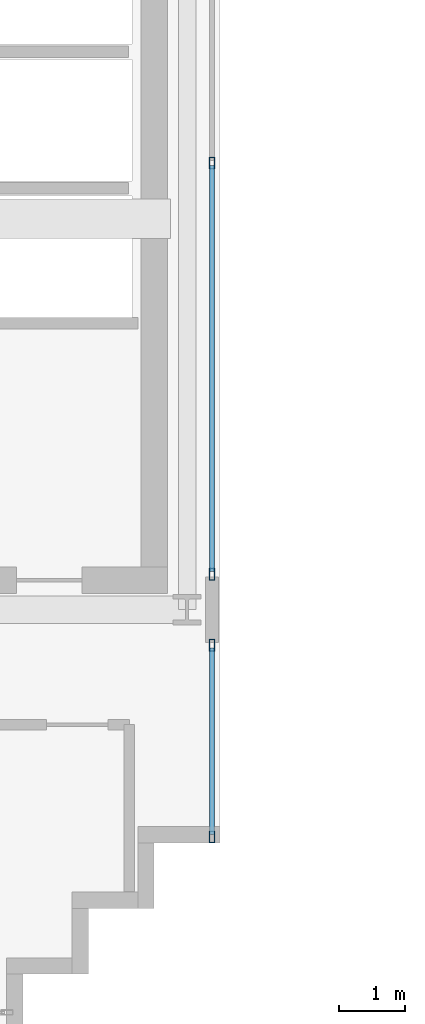
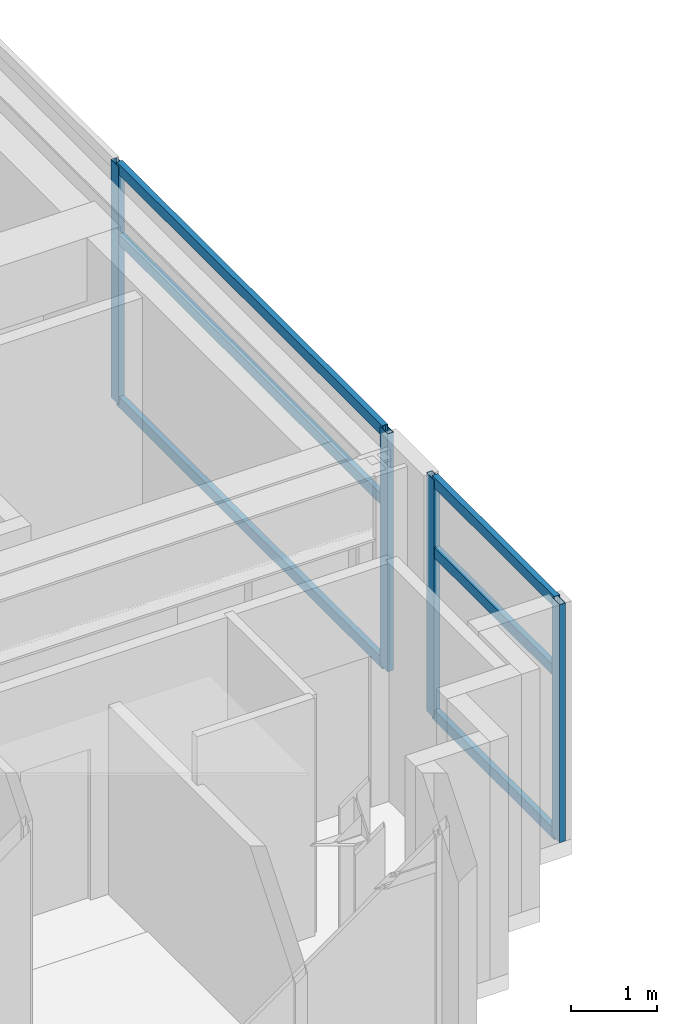
# One storey, part 4 of 25: 10 members, 2 elements without a shape of their own.
"""IFC4 building model written with IfcOpenShell, lengths in metres."""

from ifc_helpers import new_model, si_unit, direction, frame, origin, origin_2d, place, context, subcontext, project, spatial, hollow_rectangle, extrude, source, transform, mapped, material, layer, layer_set, material_profile, profile_set, type_object, element, aggregate, save


model = new_model("IFC4")

# Units and contexts
model_context = context("Model", 3, precision=1e-05, world=origin(), true_north=direction((0.0, 1.0)))
body_context = subcontext(model_context, "Body", "Model", "MODEL_VIEW")
ifc_project = project(units=[si_unit("LENGTHUNIT", "METRE"), si_unit("AREAUNIT", "SQUARE_METRE"), si_unit("VOLUMEUNIT", "CUBIC_METRE"), si_unit("PLANEANGLEUNIT", "RADIAN"), si_unit("MASSUNIT", "GRAM", prefix="KILO")], contexts=[model_context])

# Site, building, storey
site_placement = place(None, origin())
site = spatial("IfcSite", under=ifc_project, at=site_placement, CompositionType="ELEMENT")
building_placement = place(site_placement, origin())
building = spatial("IfcBuilding", under=site, at=building_placement, Name="Ocotamira Hotel", CompositionType="ELEMENT")
storey_placement = place(building_placement, frame((0.0, 0.0, 254.39990234375)))
storey = spatial("IfcBuildingStorey", under=building, at=storey_placement, Name="L64", CompositionType="ELEMENT", Elevation=254.39990234375)

# Curtain wall, members
ifc_material_1 = material(Name="Anodised pale-metal aluminium and solar glass", Category="aluminium")
ifc_layer = layer(ifc_material_1, 0.2099609375)
ifc_layer_set = layer_set([ifc_layer], Name="Anodised pale-metal aluminium and solar glass")
curtain_wall_type = type_object("IfcCurtainWallType", Name="CW-SYS7-PEAK", PredefinedType="NOTDEFINED", material=ifc_layer_set)
curtain_wall_1_placement = place(storey_placement, origin())
curtain_wall_1 = element("IfcCurtainWall", 1, at=curtain_wall_1_placement, inside=storey, type_object=curtain_wall_type, Name="L64 Curtain Wall CW-7 CW-L64-WI1", PredefinedType="NOTDEFINED")
ifc_material_2 = material(Name="Anodised pale-metal aluminium 6063-T6", Category="aluminium")
ifc_material_profile_1 = material_profile(ifc_material_2, hollow_rectangle(XDim=0.080078125, YDim=0.179931640625, WallThickness=0.006103515625, at=origin_2d()), Name="HSS180X80X6")
ifc_profile_set_1 = profile_set([ifc_material_profile_1], Name="Anodised pale-metal aluminium 6063-T6")
member_type_1 = type_object("IfcMemberType", Name="CWM-180X75", PredefinedType="MULLION", material=ifc_profile_set_1)
shared_shape_1 = source(origin(), body_context, "Body", "SweptSolid", [
    extrude(hollow_rectangle(XDim=0.080078125, YDim=0.179931640625, WallThickness=0.006103515625, at=origin_2d()), origin(), (0.0, 0.0, 1.0), 3.380126953125),
])
member_1_placement = place(storey_placement, frame((23.8798828125, 11.090087890625, 0.0), z_axis=(0.0, 0.0, 1.0), x_axis=(-1.0, 0.0, 0.0)))
member_1 = element("IfcMember", 2, at=member_1_placement, type_object=member_type_1, Name="CW-7 mullion 1", PredefinedType="MULLION", context=body_context, shape_type="MappedRepresentation", body=[
    mapped(shared_shape_1, transform((0.0, 0.0, 0.0), scale=1.0)),
])
member_2_placement = place(storey_placement, frame((23.8798828125, 14.010009765625, 0.0), z_axis=(0.0, 0.0, 1.0), x_axis=(-1.0, 0.0, 0.0)))
member_2 = element("IfcMember", 3, at=member_2_placement, type_object=member_type_1, Name="CW-7 mullion 2", PredefinedType="MULLION", context=body_context, shape_type="MappedRepresentation", body=[
    mapped(shared_shape_1, transform((0.0, 0.0, 0.0), scale=1.0)),
])

curtain_wall_2_placement = place(storey_placement, origin())
curtain_wall_2 = element("IfcCurtainWall", 4, at=curtain_wall_2_placement, inside=storey, type_object=curtain_wall_type, Name="L64 Curtain Wall CW-7 CW-L64-WI2", PredefinedType="NOTDEFINED")
member_3_placement = place(storey_placement, frame((23.8798828125, 15.090087890625, 0.0), z_axis=(0.0, 0.0, 1.0), x_axis=(-1.0, 0.0, 0.0)))
member_3 = element("IfcMember", 5, at=member_3_placement, type_object=member_type_1, Name="CW-7 mullion 1", PredefinedType="MULLION", context=body_context, shape_type="MappedRepresentation", body=[
    mapped(shared_shape_1, transform((0.0, 0.0, 0.0), scale=1.0)),
])
member_4_placement = place(storey_placement, frame((23.8798828125, 21.35009765625, 0.0), z_axis=(0.0, 0.0, 1.0), x_axis=(-1.0, 0.0, 0.0)))
member_4 = element("IfcMember", 6, at=member_4_placement, type_object=member_type_1, Name="CW-7 mullion 2", PredefinedType="MULLION", context=body_context, shape_type="MappedRepresentation", body=[
    mapped(shared_shape_1, transform((0.0, 0.0, 0.0), scale=1.0)),
])

# Member
ifc_material_profile_2 = material_profile(ifc_material_2, hollow_rectangle(XDim=0.074951171875, YDim=0.14990234375, WallThickness=0.006103515625, at=origin_2d()), Name="HSS150X75X6")
ifc_profile_set_2 = profile_set([ifc_material_profile_2], Name="Anodised pale-metal aluminium 6063-T6")
member_type_2 = type_object("IfcMemberType", Name="CWT-150X75", PredefinedType="USERDEFINED", material=ifc_profile_set_2)
shared_shape_2 = source(origin(), body_context, "Body", "SweptSolid", [
    extrude(hollow_rectangle(XDim=0.074951171875, YDim=0.14990234375, WallThickness=0.006103515625, at=origin_2d()), origin(), (0.0, 0.0, 1.0), 2.840087890625),
])
member_5_placement = place(storey_placement, frame((23.8798828125, 11.1298828125, 0.03759765625), z_axis=(0.0, 1.0, 0.0), x_axis=(-1.0, 0.0, 0.0)))
member_5 = element("IfcMember", 7, at=member_5_placement, type_object=member_type_2, Name="CW-7 transom 1.1", ObjectType="TRANSOM", PredefinedType="USERDEFINED", context=body_context, shape_type="MappedRepresentation", body=[
    mapped(shared_shape_2, transform((0.0, 0.0, 0.0), scale=1.0)),
])

member_6_placement = place(storey_placement, frame((23.8798828125, 11.1298828125, 2.35009765625), z_axis=(0.0, 1.0, 0.0), x_axis=(-1.0, 0.0, 0.0)))
member_6 = element("IfcMember", 8, at=member_6_placement, type_object=member_type_2, Name="CW-7 transom 1.2", ObjectType="TRANSOM", PredefinedType="USERDEFINED", context=body_context, shape_type="MappedRepresentation", body=[
    mapped(shared_shape_2, transform((0.0, 0.0, 0.0), scale=1.0)),
])

member_7_placement = place(storey_placement, frame((23.8798828125, 11.1298828125, 3.342529296875), z_axis=(0.0, 1.0, 0.0), x_axis=(-1.0, 0.0, 0.0)))
member_7 = element("IfcMember", 9, at=member_7_placement, type_object=member_type_2, Name="CW-7 transom 1.3", ObjectType="TRANSOM", PredefinedType="USERDEFINED", context=body_context, shape_type="MappedRepresentation", body=[
    mapped(shared_shape_2, transform((0.0, 0.0, 0.0), scale=1.0)),
])

aggregate(curtain_wall_1, [member_1, member_2, member_5, member_6, member_7])

shared_shape_3 = source(origin(), body_context, "Body", "SweptSolid", [
    extrude(hollow_rectangle(XDim=0.074951171875, YDim=0.14990234375, WallThickness=0.006103515625, at=origin_2d()), origin(), (0.0, 0.0, 1.0), 6.18017578125),
])
member_8_placement = place(storey_placement, frame((23.8798828125, 15.1298828125, 0.03759765625), z_axis=(0.0, 1.0, 0.0), x_axis=(-1.0, 0.0, 0.0)))
member_8 = element("IfcMember", 10, at=member_8_placement, type_object=member_type_2, Name="CW-7 transom 1.1", ObjectType="TRANSOM", PredefinedType="USERDEFINED", context=body_context, shape_type="MappedRepresentation", body=[
    mapped(shared_shape_3, transform((0.0, 0.0, 0.0), scale=1.0)),
])

member_9_placement = place(storey_placement, frame((23.8798828125, 15.1298828125, 2.35009765625), z_axis=(0.0, 1.0, 0.0), x_axis=(-1.0, 0.0, 0.0)))
member_9 = element("IfcMember", 11, at=member_9_placement, type_object=member_type_2, Name="CW-7 transom 1.2", ObjectType="TRANSOM", PredefinedType="USERDEFINED", context=body_context, shape_type="MappedRepresentation", body=[
    mapped(shared_shape_3, transform((0.0, 0.0, 0.0), scale=1.0)),
])

member_10_placement = place(storey_placement, frame((23.8798828125, 15.1298828125, 3.342529296875), z_axis=(0.0, 1.0, 0.0), x_axis=(-1.0, 0.0, 0.0)))
member_10 = element("IfcMember", 12, at=member_10_placement, type_object=member_type_2, Name="CW-7 transom 1.3", ObjectType="TRANSOM", PredefinedType="USERDEFINED", context=body_context, shape_type="MappedRepresentation", body=[
    mapped(shared_shape_3, transform((0.0, 0.0, 0.0), scale=1.0)),
])

aggregate(curtain_wall_2, [member_3, member_4, member_8, member_9, member_10])

save(model, "model.ifc")
